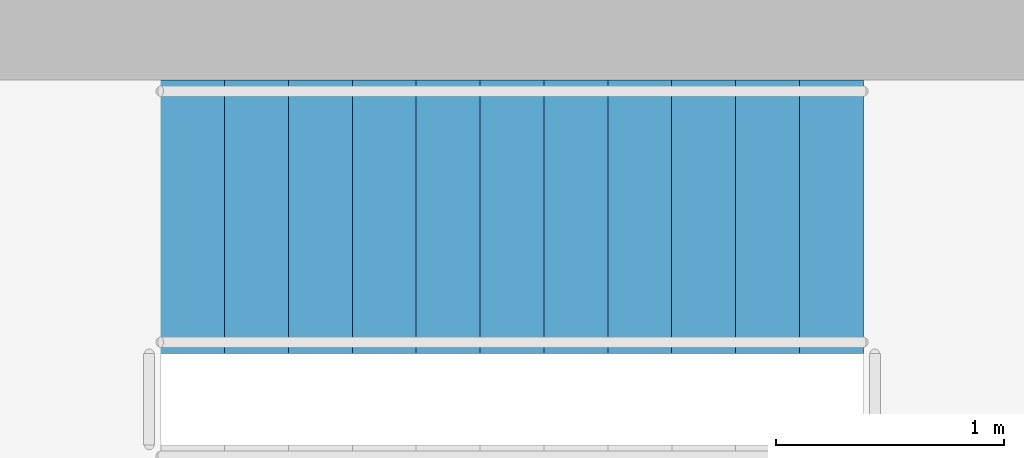
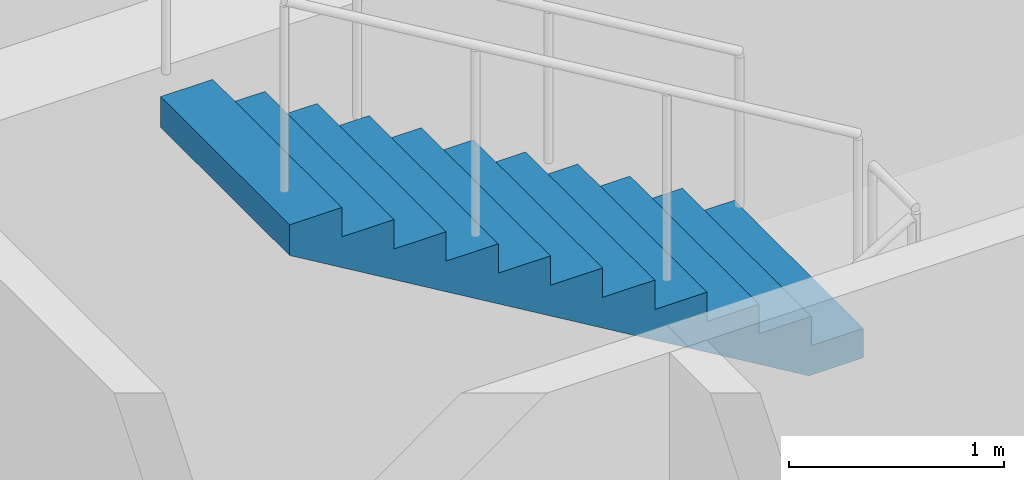
# One storey, part 16 of 20: 1 stair flight, 1 element without a shape of its own.
"""IFC4 building model written with IfcOpenShell, lengths in metres."""

from ifc_helpers import new_model, si_unit, direction, frame, origin, place, context, subcontext, project, spatial, polyline, outline, extrude, material, type_object, element, aggregate, save


model = new_model("IFC4")

# Units and contexts
model_context = context("Model", 3, precision=1e-05, world=origin(), true_north=direction((0.0, 1.0)))
body_context = subcontext(model_context, "Body", "Model", "MODEL_VIEW")
ifc_project = project(units=[si_unit("LENGTHUNIT", "METRE"), si_unit("AREAUNIT", "SQUARE_METRE"), si_unit("VOLUMEUNIT", "CUBIC_METRE"), si_unit("PLANEANGLEUNIT", "RADIAN"), si_unit("MASSUNIT", "GRAM", prefix="KILO")], contexts=[model_context])

# Site, building, storey
site_placement = place(None, origin())
site = spatial("IfcSite", under=ifc_project, at=site_placement, CompositionType="ELEMENT")
building_placement = place(site_placement, origin())
building = spatial("IfcBuilding", under=site, at=building_placement, Name="Sierra Prisma Convention Tower", CompositionType="ELEMENT")
storey_placement = place(building_placement, frame((0.0, 0.0, 239.0)))
storey = spatial("IfcBuildingStorey", under=building, at=storey_placement, Name="L53", CompositionType="ELEMENT", Elevation=239.0)

# Stair, stair flight
ifc_material_1 = material(Name="Concrete C30/37", Category="concrete")
stair_type = type_object("IfcStairType", Name="Stair dog-leg 1200 RC", PredefinedType="HALF_TURN_STAIR", material=ifc_material_1)
stair_placement = place(storey_placement, origin())
stair = element("IfcStair", 1, at=stair_placement, inside=storey, type_object=stair_type, Name="L53 S4", PredefinedType="HALF_TURN_STAIR")
ifc_material_2 = material(Name="Concrete C30/37", Category="concrete")
stair_flight_type = type_object("IfcStairFlightType", Name="Stair flight RC 1200", PredefinedType="STRAIGHT", material=ifc_material_2)
stair_flight_placement = place(storey_placement, frame((8.679931640625, 6.89990234375, 2.0), z_axis=(0.0, 0.0, 1.0), x_axis=(-1.0, 0.0, 0.0)))
stair_flight = element("IfcStairFlight", 2, at=stair_flight_placement, type_object=stair_flight_type, Name="S4 flight 2", NumberOfRisers=12, NumberOfTreads=11, PredefinedType="STRAIGHT", RiserHeight=0.166666667, TreadLength=0.28, context=body_context, shape_type="SweptSolid", body=[
    extrude(outline(polyline([(0.0, 0.0), (0.0, 0.166748046875), (0.280029296875, 0.166748046875), (0.280029296875, 0.333251953125), (0.56005859375, 0.333251953125), (0.56005859375, 0.5), (0.840087890625, 0.5), (0.840087890625, 0.666748046875), (1.1201171875, 0.666748046875), (1.1201171875, 0.833251953125), (1.39990234375, 0.833251953125), (1.39990234375, 1.0), (1.679931640625, 1.0), (1.679931640625, 1.166748046875), (1.9599609375, 1.166748046875), (1.9599609375, 1.333251953125), (2.239990234375, 1.333251953125), (2.239990234375, 1.5), (2.52001953125, 1.5), (2.52001953125, 1.666748046875), (2.800048828125, 1.666748046875), (2.800048828125, 1.833251953125), (3.080078125, 1.833251953125), (3.080078125, 2.0), (3.080078125, 1.658935546875), (0.29296875, 0.0), (0.0, 0.0)])), frame((0.0, 0.60009765625, 0.0), z_axis=(0.0, -1.0, 0.0), x_axis=(1.0, 0.0, 0.0)), (0.0, 0.0, 1.0), 1.199951171875),
])
aggregate(stair, [stair_flight])

save(model, "model.ifc")
